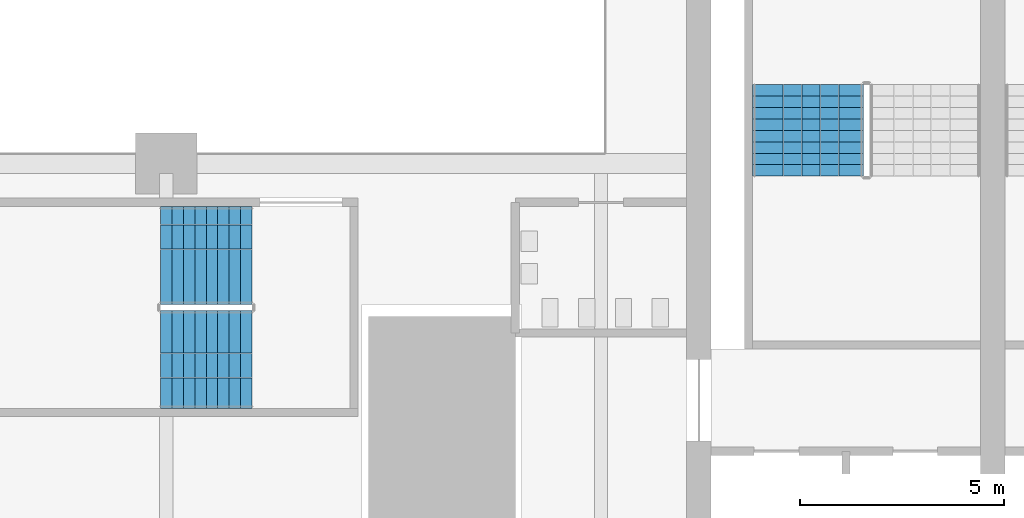
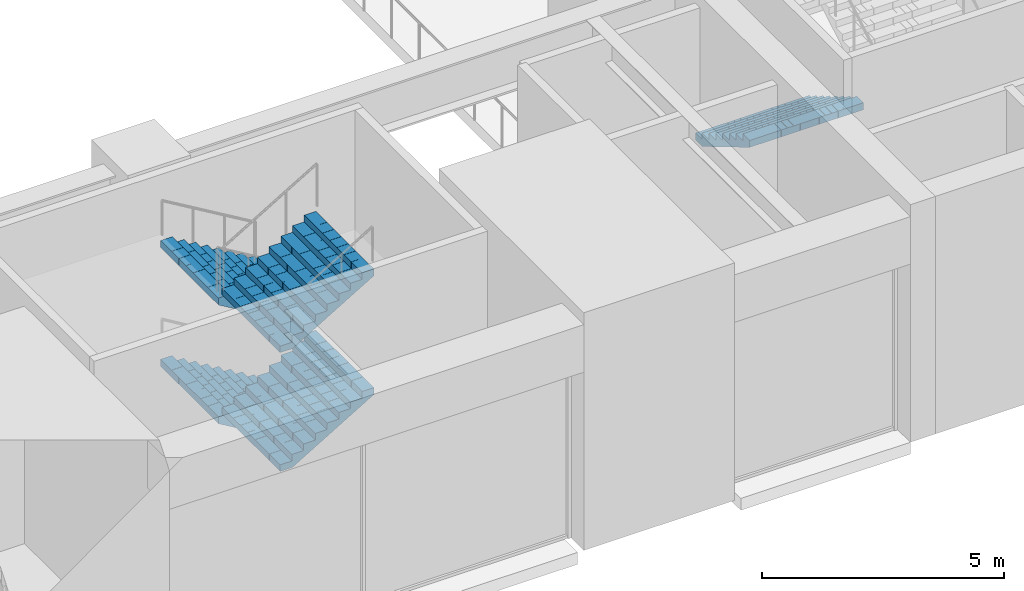
# One storey, part 25 of 43: 5 stair flights, 2 elements without a shape of their own.
"""IFC4 building model written with IfcOpenShell, lengths in metres."""

from ifc_helpers import new_model, si_unit, direction, frame, origin, place, context, subcontext, project, spatial, polyline, outline, extrude, material, type_object, element, aggregate, save


model = new_model("IFC4")

# Units and contexts
model_context = context("Model", 3, precision=1e-05, world=origin(), true_north=direction((0.0, 1.0)))
body_context = subcontext(model_context, "Body", "Model", "MODEL_VIEW")
ifc_project = project(units=[si_unit("LENGTHUNIT", "METRE"), si_unit("AREAUNIT", "SQUARE_METRE"), si_unit("VOLUMEUNIT", "CUBIC_METRE"), si_unit("PLANEANGLEUNIT", "RADIAN"), si_unit("MASSUNIT", "GRAM", prefix="KILO")], contexts=[model_context])

# Site, building, storey
site_placement = place(None, origin())
site = spatial("IfcSite", under=ifc_project, at=site_placement, CompositionType="ELEMENT")
building_placement = place(site_placement, origin())
building = spatial("IfcBuilding", under=site, at=building_placement, Name="Corbelhall Arena Tower", CompositionType="ELEMENT")
storey_placement = place(building_placement, frame((0.0, 0.0, 25.0)))
storey = spatial("IfcBuildingStorey", under=building, at=storey_placement, Name="L03", CompositionType="ELEMENT", Elevation=25.0)

# Stair, stair flights
ifc_material = material(Name="Reinforced concrete C40/50", Category="concrete")
stair_type = type_object("IfcStairType", Name="AR-EXIT-STAIR", PredefinedType="HALF_TURN_STAIR", material=ifc_material)
stair_1_placement = place(storey_placement, origin())
stair_1 = element("IfcStair", 1, at=stair_1_placement, inside=storey, type_object=stair_type, Name="L03 exit stair AS16", PredefinedType="HALF_TURN_STAIR")
stair_flight_type = type_object("IfcStairFlightType", Name="AR-EXIT-FLIGHT", PredefinedType="STRAIGHT", material=ifc_material)
stair_flight_1_placement = place(storey_placement, frame((22.35009765625, -31.5, 0.0), z_axis=(0.0, 0.0, 1.0), x_axis=(-1.0, 0.0, 0.0)))
stair_flight_1 = element("IfcStairFlight", 2, at=stair_flight_1_placement, type_object=stair_flight_type, Name="AS16 flight 1", NumberOfRisers=9, NumberOfTreads=8, PredefinedType="STRAIGHT", RiserHeight=0.166666667, TreadLength=0.28, context=body_context, shape_type="SweptSolid", body=[
    extrude(outline(polyline([(0.0, 0.0), (0.0, 0.166748046875), (0.280029296875, 0.166748046875), (0.280029296875, 0.333251953125), (0.56005859375, 0.333251953125), (0.56005859375, 0.5), (0.840087890625, 0.5), (0.840087890625, 0.666748046875), (1.1201171875, 0.666748046875), (1.1201171875, 0.833251953125), (1.39990234375, 0.833251953125), (1.39990234375, 1.0), (1.679931640625, 1.0), (1.679931640625, 1.166748046875), (1.9599609375, 1.166748046875), (1.9599609375, 1.333251953125), (2.239990234375, 1.333251953125), (2.239990234375, 1.5), (2.239990234375, 1.158935546875), (0.29296875, 0.0), (0.0, 0.0)])), frame((0.0, 1.199951171875, 0.0), z_axis=(0.0, -1.0, 0.0), x_axis=(1.0, 0.0, 0.0)), (0.0, 0.0, 1.0), 0.449951171875),
    extrude(outline(polyline([(0.0, 0.0), (0.0, 0.166748046875), (0.280029296875, 0.166748046875), (0.280029296875, 0.333251953125), (0.56005859375, 0.333251953125), (0.56005859375, 0.5), (0.840087890625, 0.5), (0.840087890625, 0.666748046875), (1.1201171875, 0.666748046875), (1.1201171875, 0.833251953125), (1.39990234375, 0.833251953125), (1.39990234375, 1.0), (1.679931640625, 1.0), (1.679931640625, 1.166748046875), (1.9599609375, 1.166748046875), (1.9599609375, 1.333251953125), (2.239990234375, 1.333251953125), (2.239990234375, 1.5), (2.239990234375, 1.158935546875), (0.29296875, 0.0), (0.0, 0.0)])), frame((0.0, 0.745849609375, 0.0), z_axis=(0.0, -1.0, 0.0), x_axis=(1.0, 0.0, 0.0)), (0.0, 0.0, 1.0), 0.295166015625),
    extrude(outline(polyline([(0.0, 0.0), (0.0, 0.166748046875), (0.280029296875, 0.166748046875), (0.280029296875, 0.333251953125), (0.56005859375, 0.333251953125), (0.56005859375, 0.5), (0.840087890625, 0.5), (0.840087890625, 0.666748046875), (1.1201171875, 0.666748046875), (1.1201171875, 0.833251953125), (1.39990234375, 0.833251953125), (1.39990234375, 1.0), (1.679931640625, 1.0), (1.679931640625, 1.166748046875), (1.9599609375, 1.166748046875), (1.9599609375, 1.333251953125), (2.239990234375, 1.333251953125), (2.239990234375, 1.5), (2.239990234375, 1.158935546875), (0.29296875, 0.0), (0.0, 0.0)])), frame((0.0, 0.44677734375, 0.0), z_axis=(0.0, -1.0, 0.0), x_axis=(1.0, 0.0, 0.0)), (0.0, 0.0, 1.0), 0.295166015625),
    extrude(outline(polyline([(0.0, 0.0), (0.0, 0.166748046875), (0.280029296875, 0.166748046875), (0.280029296875, 0.333251953125), (0.56005859375, 0.333251953125), (0.56005859375, 0.5), (0.840087890625, 0.5), (0.840087890625, 0.666748046875), (1.1201171875, 0.666748046875), (1.1201171875, 0.833251953125), (1.39990234375, 0.833251953125), (1.39990234375, 1.0), (1.679931640625, 1.0), (1.679931640625, 1.166748046875), (1.9599609375, 1.166748046875), (1.9599609375, 1.333251953125), (2.239990234375, 1.333251953125), (2.239990234375, 1.5), (2.239990234375, 1.158935546875), (0.29296875, 0.0), (0.0, 0.0)])), frame((0.0, 0.147705078125, 0.0), z_axis=(0.0, -1.0, 0.0), x_axis=(1.0, 0.0, 0.0)), (0.0, 0.0, 1.0), 0.295166015625),
    extrude(outline(polyline([(0.0, 0.0), (0.0, 0.166748046875), (0.280029296875, 0.166748046875), (0.280029296875, 0.333251953125), (0.56005859375, 0.333251953125), (0.56005859375, 0.5), (0.840087890625, 0.5), (0.840087890625, 0.666748046875), (1.1201171875, 0.666748046875), (1.1201171875, 0.833251953125), (1.39990234375, 0.833251953125), (1.39990234375, 1.0), (1.679931640625, 1.0), (1.679931640625, 1.166748046875), (1.9599609375, 1.166748046875), (1.9599609375, 1.333251953125), (2.239990234375, 1.333251953125), (2.239990234375, 1.5), (2.239990234375, 1.158935546875), (0.29296875, 0.0), (0.0, 0.0)])), frame((0.0, -0.151611328125, 0.0), z_axis=(0.0, -1.0, 0.0), x_axis=(1.0, 0.0, 0.0)), (0.0, 0.0, 1.0), 0.295166015625),
    extrude(outline(polyline([(0.0, 0.0), (0.0, 0.166748046875), (0.280029296875, 0.166748046875), (0.280029296875, 0.333251953125), (0.56005859375, 0.333251953125), (0.56005859375, 0.5), (0.840087890625, 0.5), (0.840087890625, 0.666748046875), (1.1201171875, 0.666748046875), (1.1201171875, 0.833251953125), (1.39990234375, 0.833251953125), (1.39990234375, 1.0), (1.679931640625, 1.0), (1.679931640625, 1.166748046875), (1.9599609375, 1.166748046875), (1.9599609375, 1.333251953125), (2.239990234375, 1.333251953125), (2.239990234375, 1.5), (2.239990234375, 1.158935546875), (0.29296875, 0.0), (0.0, 0.0)])), frame((0.0, -0.45068359375, 0.0), z_axis=(0.0, -1.0, 0.0), x_axis=(1.0, 0.0, 0.0)), (0.0, 0.0, 1.0), 0.295166015625),
    extrude(outline(polyline([(0.0, 0.0), (0.0, 0.166748046875), (0.280029296875, 0.166748046875), (0.280029296875, 0.333251953125), (0.56005859375, 0.333251953125), (0.56005859375, 0.5), (0.840087890625, 0.5), (0.840087890625, 0.666748046875), (1.1201171875, 0.666748046875), (1.1201171875, 0.833251953125), (1.39990234375, 0.833251953125), (1.39990234375, 1.0), (1.679931640625, 1.0), (1.679931640625, 1.166748046875), (1.9599609375, 1.166748046875), (1.9599609375, 1.333251953125), (2.239990234375, 1.333251953125), (2.239990234375, 1.5), (2.239990234375, 1.158935546875), (0.29296875, 0.0), (0.0, 0.0)])), frame((0.0, -0.75, 0.0), z_axis=(0.0, -1.0, 0.0), x_axis=(1.0, 0.0, 0.0)), (0.0, 0.0, 1.0), 0.449951171875),
])
stair_flight_2_placement = place(storey_placement, frame((20.110107421875, -34.050048828125, 1.5), z_axis=(0.0, 0.0, 1.0), x_axis=(1.0, 0.0, 0.0)))
stair_flight_2 = element("IfcStairFlight", 3, at=stair_flight_2_placement, type_object=stair_flight_type, Name="AS16 flight 2", NumberOfRisers=9, NumberOfTreads=8, PredefinedType="STRAIGHT", RiserHeight=0.166666667, TreadLength=0.28, context=body_context, shape_type="SweptSolid", body=[
    extrude(outline(polyline([(0.0, 0.0), (0.0, 0.166748046875), (0.280029296875, 0.166748046875), (0.280029296875, 0.333251953125), (0.56005859375, 0.333251953125), (0.56005859375, 0.5), (0.840087890625, 0.5), (0.840087890625, 0.666748046875), (1.1201171875, 0.666748046875), (1.1201171875, 0.833251953125), (1.39990234375, 0.833251953125), (1.39990234375, 1.0), (1.679931640625, 1.0), (1.679931640625, 1.166748046875), (1.9599609375, 1.166748046875), (1.9599609375, 1.333251953125), (2.239990234375, 1.333251953125), (2.239990234375, 1.5), (2.239990234375, 1.158935546875), (0.29296875, 0.0), (0.0, 0.0)])), frame((0.0, 1.199951171875, 0.0), z_axis=(0.0, -1.0, 0.0), x_axis=(1.0, 0.0, 0.0)), (0.0, 0.0, 1.0), 0.449951171875),
    extrude(outline(polyline([(0.0, 0.0), (0.0, 0.166748046875), (0.280029296875, 0.166748046875), (0.280029296875, 0.333251953125), (0.56005859375, 0.333251953125), (0.56005859375, 0.5), (0.840087890625, 0.5), (0.840087890625, 0.666748046875), (1.1201171875, 0.666748046875), (1.1201171875, 0.833251953125), (1.39990234375, 0.833251953125), (1.39990234375, 1.0), (1.679931640625, 1.0), (1.679931640625, 1.166748046875), (1.9599609375, 1.166748046875), (1.9599609375, 1.333251953125), (2.239990234375, 1.333251953125), (2.239990234375, 1.5), (2.239990234375, 1.158935546875), (0.29296875, 0.0), (0.0, 0.0)])), frame((0.0, 0.745849609375, 0.0), z_axis=(0.0, -1.0, 0.0), x_axis=(1.0, 0.0, 0.0)), (0.0, 0.0, 1.0), 0.295166015625),
    extrude(outline(polyline([(0.0, 0.0), (0.0, 0.166748046875), (0.280029296875, 0.166748046875), (0.280029296875, 0.333251953125), (0.56005859375, 0.333251953125), (0.56005859375, 0.5), (0.840087890625, 0.5), (0.840087890625, 0.666748046875), (1.1201171875, 0.666748046875), (1.1201171875, 0.833251953125), (1.39990234375, 0.833251953125), (1.39990234375, 1.0), (1.679931640625, 1.0), (1.679931640625, 1.166748046875), (1.9599609375, 1.166748046875), (1.9599609375, 1.333251953125), (2.239990234375, 1.333251953125), (2.239990234375, 1.5), (2.239990234375, 1.158935546875), (0.29296875, 0.0), (0.0, 0.0)])), frame((0.0, 0.44677734375, 0.0), z_axis=(0.0, -1.0, 0.0), x_axis=(1.0, 0.0, 0.0)), (0.0, 0.0, 1.0), 0.295166015625),
    extrude(outline(polyline([(0.0, 0.0), (0.0, 0.166748046875), (0.280029296875, 0.166748046875), (0.280029296875, 0.333251953125), (0.56005859375, 0.333251953125), (0.56005859375, 0.5), (0.840087890625, 0.5), (0.840087890625, 0.666748046875), (1.1201171875, 0.666748046875), (1.1201171875, 0.833251953125), (1.39990234375, 0.833251953125), (1.39990234375, 1.0), (1.679931640625, 1.0), (1.679931640625, 1.166748046875), (1.9599609375, 1.166748046875), (1.9599609375, 1.333251953125), (2.239990234375, 1.333251953125), (2.239990234375, 1.5), (2.239990234375, 1.158935546875), (0.29296875, 0.0), (0.0, 0.0)])), frame((0.0, 0.147705078125, 0.0), z_axis=(0.0, -1.0, 0.0), x_axis=(1.0, 0.0, 0.0)), (0.0, 0.0, 1.0), 0.295166015625),
    extrude(outline(polyline([(0.0, 0.0), (0.0, 0.166748046875), (0.280029296875, 0.166748046875), (0.280029296875, 0.333251953125), (0.56005859375, 0.333251953125), (0.56005859375, 0.5), (0.840087890625, 0.5), (0.840087890625, 0.666748046875), (1.1201171875, 0.666748046875), (1.1201171875, 0.833251953125), (1.39990234375, 0.833251953125), (1.39990234375, 1.0), (1.679931640625, 1.0), (1.679931640625, 1.166748046875), (1.9599609375, 1.166748046875), (1.9599609375, 1.333251953125), (2.239990234375, 1.333251953125), (2.239990234375, 1.5), (2.239990234375, 1.158935546875), (0.29296875, 0.0), (0.0, 0.0)])), frame((0.0, -0.151611328125, 0.0), z_axis=(0.0, -1.0, 0.0), x_axis=(1.0, 0.0, 0.0)), (0.0, 0.0, 1.0), 0.295166015625),
    extrude(outline(polyline([(0.0, 0.0), (0.0, 0.166748046875), (0.280029296875, 0.166748046875), (0.280029296875, 0.333251953125), (0.56005859375, 0.333251953125), (0.56005859375, 0.5), (0.840087890625, 0.5), (0.840087890625, 0.666748046875), (1.1201171875, 0.666748046875), (1.1201171875, 0.833251953125), (1.39990234375, 0.833251953125), (1.39990234375, 1.0), (1.679931640625, 1.0), (1.679931640625, 1.166748046875), (1.9599609375, 1.166748046875), (1.9599609375, 1.333251953125), (2.239990234375, 1.333251953125), (2.239990234375, 1.5), (2.239990234375, 1.158935546875), (0.29296875, 0.0), (0.0, 0.0)])), frame((0.0, -0.45068359375, 0.0), z_axis=(0.0, -1.0, 0.0), x_axis=(1.0, 0.0, 0.0)), (0.0, 0.0, 1.0), 0.295166015625),
    extrude(outline(polyline([(0.0, 0.0), (0.0, 0.166748046875), (0.280029296875, 0.166748046875), (0.280029296875, 0.333251953125), (0.56005859375, 0.333251953125), (0.56005859375, 0.5), (0.840087890625, 0.5), (0.840087890625, 0.666748046875), (1.1201171875, 0.666748046875), (1.1201171875, 0.833251953125), (1.39990234375, 0.833251953125), (1.39990234375, 1.0), (1.679931640625, 1.0), (1.679931640625, 1.166748046875), (1.9599609375, 1.166748046875), (1.9599609375, 1.333251953125), (2.239990234375, 1.333251953125), (2.239990234375, 1.5), (2.239990234375, 1.158935546875), (0.29296875, 0.0), (0.0, 0.0)])), frame((0.0, -0.75, 0.0), z_axis=(0.0, -1.0, 0.0), x_axis=(1.0, 0.0, 0.0)), (0.0, 0.0, 1.0), 0.449951171875),
])
stair_flight_3_placement = place(storey_placement, frame((22.35009765625, -31.5, 3.0), z_axis=(0.0, 0.0, 1.0), x_axis=(-1.0, 0.0, 0.0)))
stair_flight_3 = element("IfcStairFlight", 4, at=stair_flight_3_placement, type_object=stair_flight_type, Name="AS16 flight 3", NumberOfRisers=9, NumberOfTreads=8, PredefinedType="STRAIGHT", RiserHeight=0.166666667, TreadLength=0.28, context=body_context, shape_type="SweptSolid", body=[
    extrude(outline(polyline([(0.0, 0.0), (0.0, 0.166748046875), (0.280029296875, 0.166748046875), (0.280029296875, 0.333251953125), (0.56005859375, 0.333251953125), (0.56005859375, 0.5), (0.840087890625, 0.5), (0.840087890625, 0.666748046875), (1.1201171875, 0.666748046875), (1.1201171875, 0.833251953125), (1.39990234375, 0.833251953125), (1.39990234375, 1.0), (1.679931640625, 1.0), (1.679931640625, 1.166748046875), (1.9599609375, 1.166748046875), (1.9599609375, 1.333251953125), (2.239990234375, 1.333251953125), (2.239990234375, 1.5), (2.239990234375, 1.158935546875), (0.29296875, 0.0), (0.0, 0.0)])), frame((0.0, 1.199951171875, 0.0), z_axis=(0.0, -1.0, 0.0), x_axis=(1.0, 0.0, 0.0)), (0.0, 0.0, 1.0), 0.449951171875),
    extrude(outline(polyline([(0.0, 0.0), (0.0, 0.166748046875), (0.280029296875, 0.166748046875), (0.280029296875, 0.333251953125), (0.56005859375, 0.333251953125), (0.56005859375, 0.5), (0.840087890625, 0.5), (0.840087890625, 0.666748046875), (1.1201171875, 0.666748046875), (1.1201171875, 0.833251953125), (1.39990234375, 0.833251953125), (1.39990234375, 1.0), (1.679931640625, 1.0), (1.679931640625, 1.166748046875), (1.9599609375, 1.166748046875), (1.9599609375, 1.333251953125), (2.239990234375, 1.333251953125), (2.239990234375, 1.5), (2.239990234375, 1.158935546875), (0.29296875, 0.0), (0.0, 0.0)])), frame((0.0, 0.745849609375, 0.0), z_axis=(0.0, -1.0, 0.0), x_axis=(1.0, 0.0, 0.0)), (0.0, 0.0, 1.0), 0.295166015625),
    extrude(outline(polyline([(0.0, 0.0), (0.0, 0.166748046875), (0.280029296875, 0.166748046875), (0.280029296875, 0.333251953125), (0.56005859375, 0.333251953125), (0.56005859375, 0.5), (0.840087890625, 0.5), (0.840087890625, 0.666748046875), (1.1201171875, 0.666748046875), (1.1201171875, 0.833251953125), (1.39990234375, 0.833251953125), (1.39990234375, 1.0), (1.679931640625, 1.0), (1.679931640625, 1.166748046875), (1.9599609375, 1.166748046875), (1.9599609375, 1.333251953125), (2.239990234375, 1.333251953125), (2.239990234375, 1.5), (2.239990234375, 1.158935546875), (0.29296875, 0.0), (0.0, 0.0)])), frame((0.0, 0.44677734375, 0.0), z_axis=(0.0, -1.0, 0.0), x_axis=(1.0, 0.0, 0.0)), (0.0, 0.0, 1.0), 0.295166015625),
    extrude(outline(polyline([(0.0, 0.0), (0.0, 0.166748046875), (0.280029296875, 0.166748046875), (0.280029296875, 0.333251953125), (0.56005859375, 0.333251953125), (0.56005859375, 0.5), (0.840087890625, 0.5), (0.840087890625, 0.666748046875), (1.1201171875, 0.666748046875), (1.1201171875, 0.833251953125), (1.39990234375, 0.833251953125), (1.39990234375, 1.0), (1.679931640625, 1.0), (1.679931640625, 1.166748046875), (1.9599609375, 1.166748046875), (1.9599609375, 1.333251953125), (2.239990234375, 1.333251953125), (2.239990234375, 1.5), (2.239990234375, 1.158935546875), (0.29296875, 0.0), (0.0, 0.0)])), frame((0.0, 0.147705078125, 0.0), z_axis=(0.0, -1.0, 0.0), x_axis=(1.0, 0.0, 0.0)), (0.0, 0.0, 1.0), 0.295166015625),
    extrude(outline(polyline([(0.0, 0.0), (0.0, 0.166748046875), (0.280029296875, 0.166748046875), (0.280029296875, 0.333251953125), (0.56005859375, 0.333251953125), (0.56005859375, 0.5), (0.840087890625, 0.5), (0.840087890625, 0.666748046875), (1.1201171875, 0.666748046875), (1.1201171875, 0.833251953125), (1.39990234375, 0.833251953125), (1.39990234375, 1.0), (1.679931640625, 1.0), (1.679931640625, 1.166748046875), (1.9599609375, 1.166748046875), (1.9599609375, 1.333251953125), (2.239990234375, 1.333251953125), (2.239990234375, 1.5), (2.239990234375, 1.158935546875), (0.29296875, 0.0), (0.0, 0.0)])), frame((0.0, -0.151611328125, 0.0), z_axis=(0.0, -1.0, 0.0), x_axis=(1.0, 0.0, 0.0)), (0.0, 0.0, 1.0), 0.295166015625),
    extrude(outline(polyline([(0.0, 0.0), (0.0, 0.166748046875), (0.280029296875, 0.166748046875), (0.280029296875, 0.333251953125), (0.56005859375, 0.333251953125), (0.56005859375, 0.5), (0.840087890625, 0.5), (0.840087890625, 0.666748046875), (1.1201171875, 0.666748046875), (1.1201171875, 0.833251953125), (1.39990234375, 0.833251953125), (1.39990234375, 1.0), (1.679931640625, 1.0), (1.679931640625, 1.166748046875), (1.9599609375, 1.166748046875), (1.9599609375, 1.333251953125), (2.239990234375, 1.333251953125), (2.239990234375, 1.5), (2.239990234375, 1.158935546875), (0.29296875, 0.0), (0.0, 0.0)])), frame((0.0, -0.45068359375, 0.0), z_axis=(0.0, -1.0, 0.0), x_axis=(1.0, 0.0, 0.0)), (0.0, 0.0, 1.0), 0.295166015625),
    extrude(outline(polyline([(0.0, 0.0), (0.0, 0.166748046875), (0.280029296875, 0.166748046875), (0.280029296875, 0.333251953125), (0.56005859375, 0.333251953125), (0.56005859375, 0.5), (0.840087890625, 0.5), (0.840087890625, 0.666748046875), (1.1201171875, 0.666748046875), (1.1201171875, 0.833251953125), (1.39990234375, 0.833251953125), (1.39990234375, 1.0), (1.679931640625, 1.0), (1.679931640625, 1.166748046875), (1.9599609375, 1.166748046875), (1.9599609375, 1.333251953125), (2.239990234375, 1.333251953125), (2.239990234375, 1.5), (2.239990234375, 1.158935546875), (0.29296875, 0.0), (0.0, 0.0)])), frame((0.0, -0.75, 0.0), z_axis=(0.0, -1.0, 0.0), x_axis=(1.0, 0.0, 0.0)), (0.0, 0.0, 1.0), 0.449951171875),
])
stair_flight_4_placement = place(storey_placement, frame((20.110107421875, -34.050048828125, 4.5), z_axis=(0.0, 0.0, 1.0), x_axis=(1.0, 0.0, 0.0)))
stair_flight_4 = element("IfcStairFlight", 5, at=stair_flight_4_placement, type_object=stair_flight_type, Name="AS16 flight 4", NumberOfRisers=9, NumberOfTreads=8, PredefinedType="STRAIGHT", RiserHeight=0.166666667, TreadLength=0.28, context=body_context, shape_type="SweptSolid", body=[
    extrude(outline(polyline([(0.0, 0.0), (0.0, 0.166748046875), (0.280029296875, 0.166748046875), (0.280029296875, 0.333251953125), (0.56005859375, 0.333251953125), (0.56005859375, 0.5), (0.840087890625, 0.5), (0.840087890625, 0.666748046875), (1.1201171875, 0.666748046875), (1.1201171875, 0.833251953125), (1.39990234375, 0.833251953125), (1.39990234375, 1.0), (1.679931640625, 1.0), (1.679931640625, 1.166748046875), (1.9599609375, 1.166748046875), (1.9599609375, 1.333251953125), (2.239990234375, 1.333251953125), (2.239990234375, 1.5), (2.239990234375, 1.158935546875), (0.29296875, 0.0), (0.0, 0.0)])), frame((0.0, 1.199951171875, 0.0), z_axis=(0.0, -1.0, 0.0), x_axis=(1.0, 0.0, 0.0)), (0.0, 0.0, 1.0), 0.449951171875),
    extrude(outline(polyline([(0.0, 0.0), (0.0, 0.166748046875), (0.280029296875, 0.166748046875), (0.280029296875, 0.333251953125), (0.56005859375, 0.333251953125), (0.56005859375, 0.5), (0.840087890625, 0.5), (0.840087890625, 0.666748046875), (1.1201171875, 0.666748046875), (1.1201171875, 0.833251953125), (1.39990234375, 0.833251953125), (1.39990234375, 1.0), (1.679931640625, 1.0), (1.679931640625, 1.166748046875), (1.9599609375, 1.166748046875), (1.9599609375, 1.333251953125), (2.239990234375, 1.333251953125), (2.239990234375, 1.5), (2.239990234375, 1.158935546875), (0.29296875, 0.0), (0.0, 0.0)])), frame((0.0, 0.745849609375, 0.0), z_axis=(0.0, -1.0, 0.0), x_axis=(1.0, 0.0, 0.0)), (0.0, 0.0, 1.0), 0.295166015625),
    extrude(outline(polyline([(0.0, 0.0), (0.0, 0.166748046875), (0.280029296875, 0.166748046875), (0.280029296875, 0.333251953125), (0.56005859375, 0.333251953125), (0.56005859375, 0.5), (0.840087890625, 0.5), (0.840087890625, 0.666748046875), (1.1201171875, 0.666748046875), (1.1201171875, 0.833251953125), (1.39990234375, 0.833251953125), (1.39990234375, 1.0), (1.679931640625, 1.0), (1.679931640625, 1.166748046875), (1.9599609375, 1.166748046875), (1.9599609375, 1.333251953125), (2.239990234375, 1.333251953125), (2.239990234375, 1.5), (2.239990234375, 1.158935546875), (0.29296875, 0.0), (0.0, 0.0)])), frame((0.0, 0.44677734375, 0.0), z_axis=(0.0, -1.0, 0.0), x_axis=(1.0, 0.0, 0.0)), (0.0, 0.0, 1.0), 0.295166015625),
    extrude(outline(polyline([(0.0, 0.0), (0.0, 0.166748046875), (0.280029296875, 0.166748046875), (0.280029296875, 0.333251953125), (0.56005859375, 0.333251953125), (0.56005859375, 0.5), (0.840087890625, 0.5), (0.840087890625, 0.666748046875), (1.1201171875, 0.666748046875), (1.1201171875, 0.833251953125), (1.39990234375, 0.833251953125), (1.39990234375, 1.0), (1.679931640625, 1.0), (1.679931640625, 1.166748046875), (1.9599609375, 1.166748046875), (1.9599609375, 1.333251953125), (2.239990234375, 1.333251953125), (2.239990234375, 1.5), (2.239990234375, 1.158935546875), (0.29296875, 0.0), (0.0, 0.0)])), frame((0.0, 0.147705078125, 0.0), z_axis=(0.0, -1.0, 0.0), x_axis=(1.0, 0.0, 0.0)), (0.0, 0.0, 1.0), 0.295166015625),
    extrude(outline(polyline([(0.0, 0.0), (0.0, 0.166748046875), (0.280029296875, 0.166748046875), (0.280029296875, 0.333251953125), (0.56005859375, 0.333251953125), (0.56005859375, 0.5), (0.840087890625, 0.5), (0.840087890625, 0.666748046875), (1.1201171875, 0.666748046875), (1.1201171875, 0.833251953125), (1.39990234375, 0.833251953125), (1.39990234375, 1.0), (1.679931640625, 1.0), (1.679931640625, 1.166748046875), (1.9599609375, 1.166748046875), (1.9599609375, 1.333251953125), (2.239990234375, 1.333251953125), (2.239990234375, 1.5), (2.239990234375, 1.158935546875), (0.29296875, 0.0), (0.0, 0.0)])), frame((0.0, -0.151611328125, 0.0), z_axis=(0.0, -1.0, 0.0), x_axis=(1.0, 0.0, 0.0)), (0.0, 0.0, 1.0), 0.295166015625),
    extrude(outline(polyline([(0.0, 0.0), (0.0, 0.166748046875), (0.280029296875, 0.166748046875), (0.280029296875, 0.333251953125), (0.56005859375, 0.333251953125), (0.56005859375, 0.5), (0.840087890625, 0.5), (0.840087890625, 0.666748046875), (1.1201171875, 0.666748046875), (1.1201171875, 0.833251953125), (1.39990234375, 0.833251953125), (1.39990234375, 1.0), (1.679931640625, 1.0), (1.679931640625, 1.166748046875), (1.9599609375, 1.166748046875), (1.9599609375, 1.333251953125), (2.239990234375, 1.333251953125), (2.239990234375, 1.5), (2.239990234375, 1.158935546875), (0.29296875, 0.0), (0.0, 0.0)])), frame((0.0, -0.45068359375, 0.0), z_axis=(0.0, -1.0, 0.0), x_axis=(1.0, 0.0, 0.0)), (0.0, 0.0, 1.0), 0.295166015625),
    extrude(outline(polyline([(0.0, 0.0), (0.0, 0.166748046875), (0.280029296875, 0.166748046875), (0.280029296875, 0.333251953125), (0.56005859375, 0.333251953125), (0.56005859375, 0.5), (0.840087890625, 0.5), (0.840087890625, 0.666748046875), (1.1201171875, 0.666748046875), (1.1201171875, 0.833251953125), (1.39990234375, 0.833251953125), (1.39990234375, 1.0), (1.679931640625, 1.0), (1.679931640625, 1.166748046875), (1.9599609375, 1.166748046875), (1.9599609375, 1.333251953125), (2.239990234375, 1.333251953125), (2.239990234375, 1.5), (2.239990234375, 1.158935546875), (0.29296875, 0.0), (0.0, 0.0)])), frame((0.0, -0.75, 0.0), z_axis=(0.0, -1.0, 0.0), x_axis=(1.0, 0.0, 0.0)), (0.0, 0.0, 1.0), 0.449951171875),
])
aggregate(stair_1, [stair_flight_1, stair_flight_2, stair_flight_3, stair_flight_4])

# Stair, stair flight
stair_2_placement = place(storey_placement, origin())
stair_2 = element("IfcStair", 6, at=stair_2_placement, inside=storey, type_object=stair_type, Name="L03 exit stair AS5", PredefinedType="HALF_TURN_STAIR")
stair_flight_5_placement = place(storey_placement, frame((35.969970703125, -27.320068359375, 0.0), z_axis=(0.0, 0.0, 1.0), x_axis=(0.0, -1.0, 0.0)))
stair_flight_5 = element("IfcStairFlight", 7, at=stair_flight_5_placement, type_object=stair_flight_type, Name="AS5 flight 1", NumberOfRisers=9, NumberOfTreads=8, PredefinedType="STRAIGHT", RiserHeight=0.166666667, TreadLength=0.28, context=body_context, shape_type="SweptSolid", body=[
    extrude(outline(polyline([(0.0, 0.0), (0.0, 0.166748046875), (0.280029296875, 0.166748046875), (0.280029296875, 0.333251953125), (0.56005859375, 0.333251953125), (0.56005859375, 0.5), (0.840087890625, 0.5), (0.840087890625, 0.666748046875), (1.1201171875, 0.666748046875), (1.1201171875, 0.833251953125), (1.39990234375, 0.833251953125), (1.39990234375, 1.0), (1.679931640625, 1.0), (1.679931640625, 1.166748046875), (1.9599609375, 1.166748046875), (1.9599609375, 1.333251953125), (2.239990234375, 1.333251953125), (2.239990234375, 1.5), (2.239990234375, 1.158935546875), (0.29296875, 0.0), (0.0, 0.0)])), frame((0.0, 1.35986328125, 0.0), z_axis=(0.0, -1.0, 0.0), x_axis=(1.0, 0.0, 0.0)), (0.0, 0.0, 1.0), 0.449951171875),
    extrude(outline(polyline([(0.0, 0.0), (0.0, 0.166748046875), (0.280029296875, 0.166748046875), (0.280029296875, 0.333251953125), (0.56005859375, 0.333251953125), (0.56005859375, 0.5), (0.840087890625, 0.5), (0.840087890625, 0.666748046875), (1.1201171875, 0.666748046875), (1.1201171875, 0.833251953125), (1.39990234375, 0.833251953125), (1.39990234375, 1.0), (1.679931640625, 1.0), (1.679931640625, 1.166748046875), (1.9599609375, 1.166748046875), (1.9599609375, 1.333251953125), (2.239990234375, 1.333251953125), (2.239990234375, 1.5), (2.239990234375, 1.158935546875), (0.29296875, 0.0), (0.0, 0.0)])), frame((0.0, 0.906005859375, 0.0), z_axis=(0.0, -1.0, 0.0), x_axis=(1.0, 0.0, 0.0)), (0.0, 0.0, 1.0), 0.147216796875),
    extrude(outline(polyline([(0.0, 0.0), (0.0, 0.166748046875), (0.280029296875, 0.166748046875), (0.280029296875, 0.333251953125), (0.56005859375, 0.333251953125), (0.56005859375, 0.5), (0.840087890625, 0.5), (0.840087890625, 0.666748046875), (1.1201171875, 0.666748046875), (1.1201171875, 0.833251953125), (1.39990234375, 0.833251953125), (1.39990234375, 1.0), (1.679931640625, 1.0), (1.679931640625, 1.166748046875), (1.9599609375, 1.166748046875), (1.9599609375, 1.333251953125), (2.239990234375, 1.333251953125), (2.239990234375, 1.5), (2.239990234375, 1.158935546875), (0.29296875, 0.0), (0.0, 0.0)])), frame((0.0, 0.754638671875, 0.0), z_axis=(0.0, -1.0, 0.0), x_axis=(1.0, 0.0, 0.0)), (0.0, 0.0, 1.0), 0.147216796875),
    extrude(outline(polyline([(0.0, 0.0), (0.0, 0.166748046875), (0.280029296875, 0.166748046875), (0.280029296875, 0.333251953125), (0.56005859375, 0.333251953125), (0.56005859375, 0.5), (0.840087890625, 0.5), (0.840087890625, 0.666748046875), (1.1201171875, 0.666748046875), (1.1201171875, 0.833251953125), (1.39990234375, 0.833251953125), (1.39990234375, 1.0), (1.679931640625, 1.0), (1.679931640625, 1.166748046875), (1.9599609375, 1.166748046875), (1.9599609375, 1.333251953125), (2.239990234375, 1.333251953125), (2.239990234375, 1.5), (2.239990234375, 1.158935546875), (0.29296875, 0.0), (0.0, 0.0)])), frame((0.0, 0.603271484375, 0.0), z_axis=(0.0, -1.0, 0.0), x_axis=(1.0, 0.0, 0.0)), (0.0, 0.0, 1.0), 0.147216796875),
    extrude(outline(polyline([(0.0, 0.0), (0.0, 0.166748046875), (0.280029296875, 0.166748046875), (0.280029296875, 0.333251953125), (0.56005859375, 0.333251953125), (0.56005859375, 0.5), (0.840087890625, 0.5), (0.840087890625, 0.666748046875), (1.1201171875, 0.666748046875), (1.1201171875, 0.833251953125), (1.39990234375, 0.833251953125), (1.39990234375, 1.0), (1.679931640625, 1.0), (1.679931640625, 1.166748046875), (1.9599609375, 1.166748046875), (1.9599609375, 1.333251953125), (2.239990234375, 1.333251953125), (2.239990234375, 1.5), (2.239990234375, 1.158935546875), (0.29296875, 0.0), (0.0, 0.0)])), frame((0.0, 0.451904296875, 0.0), z_axis=(0.0, -1.0, 0.0), x_axis=(1.0, 0.0, 0.0)), (0.0, 0.0, 1.0), 0.147216796875),
    extrude(outline(polyline([(0.0, 0.0), (0.0, 0.166748046875), (0.280029296875, 0.166748046875), (0.280029296875, 0.333251953125), (0.56005859375, 0.333251953125), (0.56005859375, 0.5), (0.840087890625, 0.5), (0.840087890625, 0.666748046875), (1.1201171875, 0.666748046875), (1.1201171875, 0.833251953125), (1.39990234375, 0.833251953125), (1.39990234375, 1.0), (1.679931640625, 1.0), (1.679931640625, 1.166748046875), (1.9599609375, 1.166748046875), (1.9599609375, 1.333251953125), (2.239990234375, 1.333251953125), (2.239990234375, 1.5), (2.239990234375, 1.158935546875), (0.29296875, 0.0), (0.0, 0.0)])), frame((0.0, 0.30078125, 0.0), z_axis=(0.0, -1.0, 0.0), x_axis=(1.0, 0.0, 0.0)), (0.0, 0.0, 1.0), 0.147216796875),
    extrude(outline(polyline([(0.0, 0.0), (0.0, 0.166748046875), (0.280029296875, 0.166748046875), (0.280029296875, 0.333251953125), (0.56005859375, 0.333251953125), (0.56005859375, 0.5), (0.840087890625, 0.5), (0.840087890625, 0.666748046875), (1.1201171875, 0.666748046875), (1.1201171875, 0.833251953125), (1.39990234375, 0.833251953125), (1.39990234375, 1.0), (1.679931640625, 1.0), (1.679931640625, 1.166748046875), (1.9599609375, 1.166748046875), (1.9599609375, 1.333251953125), (2.239990234375, 1.333251953125), (2.239990234375, 1.5), (2.239990234375, 1.158935546875), (0.29296875, 0.0), (0.0, 0.0)])), frame((0.0, 0.1494140625, 0.0), z_axis=(0.0, -1.0, 0.0), x_axis=(1.0, 0.0, 0.0)), (0.0, 0.0, 1.0), 0.147216796875),
    extrude(outline(polyline([(0.0, 0.0), (0.0, 0.166748046875), (0.280029296875, 0.166748046875), (0.280029296875, 0.333251953125), (0.56005859375, 0.333251953125), (0.56005859375, 0.5), (0.840087890625, 0.5), (0.840087890625, 0.666748046875), (1.1201171875, 0.666748046875), (1.1201171875, 0.833251953125), (1.39990234375, 0.833251953125), (1.39990234375, 1.0), (1.679931640625, 1.0), (1.679931640625, 1.166748046875), (1.9599609375, 1.166748046875), (1.9599609375, 1.333251953125), (2.239990234375, 1.333251953125), (2.239990234375, 1.5), (2.239990234375, 1.158935546875), (0.29296875, 0.0), (0.0, 0.0)])), frame((0.0, -0.001953125, 0.0), z_axis=(0.0, -1.0, 0.0), x_axis=(1.0, 0.0, 0.0)), (0.0, 0.0, 1.0), 0.147216796875),
    extrude(outline(polyline([(0.0, 0.0), (0.0, 0.166748046875), (0.280029296875, 0.166748046875), (0.280029296875, 0.333251953125), (0.56005859375, 0.333251953125), (0.56005859375, 0.5), (0.840087890625, 0.5), (0.840087890625, 0.666748046875), (1.1201171875, 0.666748046875), (1.1201171875, 0.833251953125), (1.39990234375, 0.833251953125), (1.39990234375, 1.0), (1.679931640625, 1.0), (1.679931640625, 1.166748046875), (1.9599609375, 1.166748046875), (1.9599609375, 1.333251953125), (2.239990234375, 1.333251953125), (2.239990234375, 1.5), (2.239990234375, 1.158935546875), (0.29296875, 0.0), (0.0, 0.0)])), frame((0.0, -0.1533203125, 0.0), z_axis=(0.0, -1.0, 0.0), x_axis=(1.0, 0.0, 0.0)), (0.0, 0.0, 1.0), 0.147216796875),
    extrude(outline(polyline([(0.0, 0.0), (0.0, 0.166748046875), (0.280029296875, 0.166748046875), (0.280029296875, 0.333251953125), (0.56005859375, 0.333251953125), (0.56005859375, 0.5), (0.840087890625, 0.5), (0.840087890625, 0.666748046875), (1.1201171875, 0.666748046875), (1.1201171875, 0.833251953125), (1.39990234375, 0.833251953125), (1.39990234375, 1.0), (1.679931640625, 1.0), (1.679931640625, 1.166748046875), (1.9599609375, 1.166748046875), (1.9599609375, 1.333251953125), (2.239990234375, 1.333251953125), (2.239990234375, 1.5), (2.239990234375, 1.158935546875), (0.29296875, 0.0), (0.0, 0.0)])), frame((0.0, -0.3046875, 0.0), z_axis=(0.0, -1.0, 0.0), x_axis=(1.0, 0.0, 0.0)), (0.0, 0.0, 1.0), 0.147216796875),
    extrude(outline(polyline([(0.0, 0.0), (0.0, 0.166748046875), (0.280029296875, 0.166748046875), (0.280029296875, 0.333251953125), (0.56005859375, 0.333251953125), (0.56005859375, 0.5), (0.840087890625, 0.5), (0.840087890625, 0.666748046875), (1.1201171875, 0.666748046875), (1.1201171875, 0.833251953125), (1.39990234375, 0.833251953125), (1.39990234375, 1.0), (1.679931640625, 1.0), (1.679931640625, 1.166748046875), (1.9599609375, 1.166748046875), (1.9599609375, 1.333251953125), (2.239990234375, 1.333251953125), (2.239990234375, 1.5), (2.239990234375, 1.158935546875), (0.29296875, 0.0), (0.0, 0.0)])), frame((0.0, -0.4560546875, 0.0), z_axis=(0.0, -1.0, 0.0), x_axis=(1.0, 0.0, 0.0)), (0.0, 0.0, 1.0), 0.147216796875),
    extrude(outline(polyline([(0.0, 0.0), (0.0, 0.166748046875), (0.280029296875, 0.166748046875), (0.280029296875, 0.333251953125), (0.56005859375, 0.333251953125), (0.56005859375, 0.5), (0.840087890625, 0.5), (0.840087890625, 0.666748046875), (1.1201171875, 0.666748046875), (1.1201171875, 0.833251953125), (1.39990234375, 0.833251953125), (1.39990234375, 1.0), (1.679931640625, 1.0), (1.679931640625, 1.166748046875), (1.9599609375, 1.166748046875), (1.9599609375, 1.333251953125), (2.239990234375, 1.333251953125), (2.239990234375, 1.5), (2.239990234375, 1.158935546875), (0.29296875, 0.0), (0.0, 0.0)])), frame((0.0, -0.607421875, 0.0), z_axis=(0.0, -1.0, 0.0), x_axis=(1.0, 0.0, 0.0)), (0.0, 0.0, 1.0), 0.147216796875),
    extrude(outline(polyline([(0.0, 0.0), (0.0, 0.166748046875), (0.280029296875, 0.166748046875), (0.280029296875, 0.333251953125), (0.56005859375, 0.333251953125), (0.56005859375, 0.5), (0.840087890625, 0.5), (0.840087890625, 0.666748046875), (1.1201171875, 0.666748046875), (1.1201171875, 0.833251953125), (1.39990234375, 0.833251953125), (1.39990234375, 1.0), (1.679931640625, 1.0), (1.679931640625, 1.166748046875), (1.9599609375, 1.166748046875), (1.9599609375, 1.333251953125), (2.239990234375, 1.333251953125), (2.239990234375, 1.5), (2.239990234375, 1.158935546875), (0.29296875, 0.0), (0.0, 0.0)])), frame((0.0, -0.758544921875, 0.0), z_axis=(0.0, -1.0, 0.0), x_axis=(1.0, 0.0, 0.0)), (0.0, 0.0, 1.0), 0.147216796875),
    extrude(outline(polyline([(0.0, 0.0), (0.0, 0.166748046875), (0.280029296875, 0.166748046875), (0.280029296875, 0.333251953125), (0.56005859375, 0.333251953125), (0.56005859375, 0.5), (0.840087890625, 0.5), (0.840087890625, 0.666748046875), (1.1201171875, 0.666748046875), (1.1201171875, 0.833251953125), (1.39990234375, 0.833251953125), (1.39990234375, 1.0), (1.679931640625, 1.0), (1.679931640625, 1.166748046875), (1.9599609375, 1.166748046875), (1.9599609375, 1.333251953125), (2.239990234375, 1.333251953125), (2.239990234375, 1.5), (2.239990234375, 1.158935546875), (0.29296875, 0.0), (0.0, 0.0)])), frame((0.0, -0.909912109375, 0.0), z_axis=(0.0, -1.0, 0.0), x_axis=(1.0, 0.0, 0.0)), (0.0, 0.0, 1.0), 0.449951171875),
])
aggregate(stair_2, [stair_flight_5])

save(model, "model.ifc")
